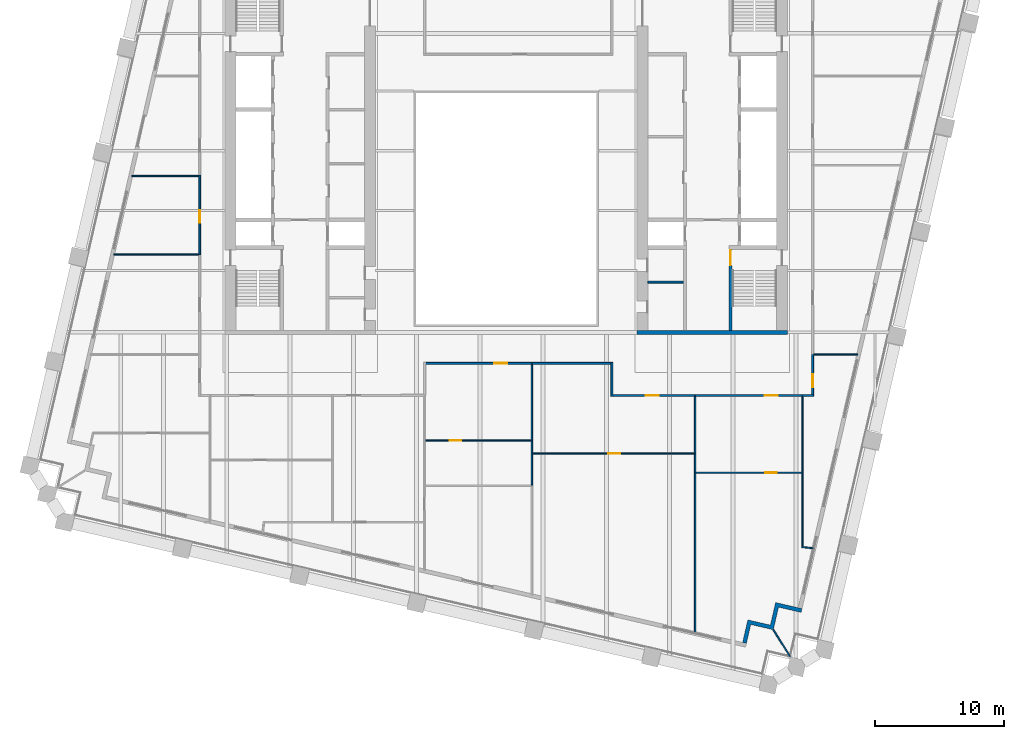
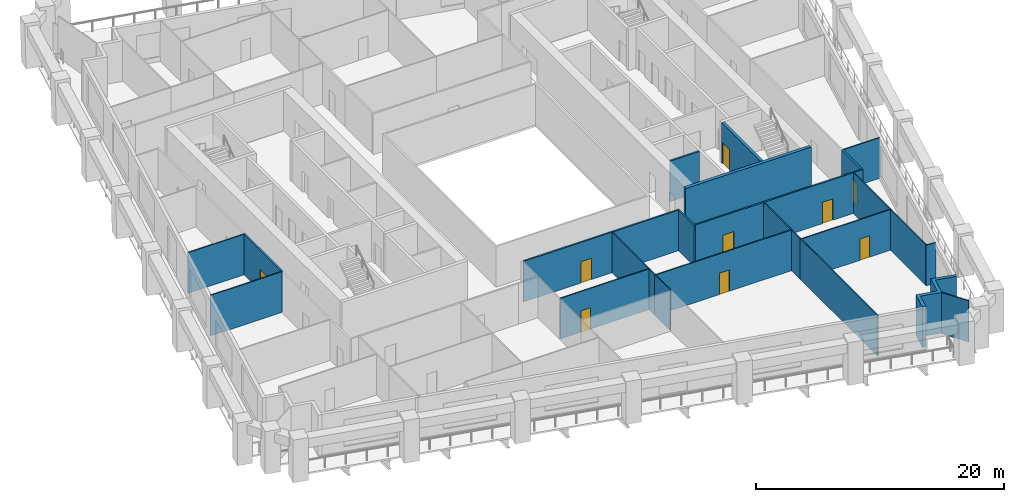
# One storey, part 5 of 12: 28 walls, 9 doors, 9 openings.
"""IFC4 building model written with IfcOpenShell, lengths in metres."""

from ifc_helpers import new_model, si_unit, direction, frame, frame_2d, origin, place, context, subcontext, project, spatial, polyline, rectangle, outline, extrude, material, layer, layer_set, type_object, element, fill, save


model = new_model("IFC4")

# Units and contexts
model_context = context("Model", 3, precision=1e-05, world=origin(), true_north=direction((0.0, 1.0)))
body_context = subcontext(model_context, "Body", "Model", "MODEL_VIEW")
ifc_project = project(units=[si_unit("LENGTHUNIT", "METRE"), si_unit("AREAUNIT", "SQUARE_METRE"), si_unit("VOLUMEUNIT", "CUBIC_METRE"), si_unit("PLANEANGLEUNIT", "RADIAN"), si_unit("MASSUNIT", "GRAM", prefix="KILO")], contexts=[model_context])

# Site, building, storey
site_placement = place(None, origin())
site = spatial("IfcSite", under=ifc_project, at=site_placement, CompositionType="ELEMENT")
building_placement = place(site_placement, origin())
building = spatial("IfcBuilding", under=site, at=building_placement, Name="Ogive Exchange Tower", CompositionType="ELEMENT")
storey_placement = place(building_placement, frame((0.0, 0.0, 139.199951171875)))
storey = spatial("IfcBuildingStorey", under=building, at=storey_placement, Name="L30", CompositionType="ELEMENT", Elevation=139.199951171875)

# Wall
ifc_material_1 = material(Name="Gypsum board partition")
ifc_layer_1 = layer(ifc_material_1, 0.14990234375)
ifc_layer_set_1 = layer_set([ifc_layer_1], Name="Core room partition 150 gypsum")
wall_type_1 = type_object("IfcWallType", Name="Core room partition 150 gypsum", PredefinedType="PARTITIONING", material=ifc_layer_set_1)
wall_1_placement = place(storey_placement, frame((11.0, 1.300048828125, 0.0), z_axis=(0.0, 0.0, 1.0), x_axis=(1.0, 0.0, 0.0)))
element("IfcWall", 1, at=wall_1_placement, inside=storey, type_object=wall_type_1, Name="E south room partition", PredefinedType="PARTITIONING", context=body_context, shape_type="SweptSolid", body=[
    extrude(rectangle(XDim=2.75, YDim=0.14990234375, at=frame_2d((1.375, 0.0))), origin(), (0.0, 0.0, 1.0), 4.0),
])

# Wall, opening, door
ifc_material_2 = material(Name="Fire partition EI 60 150")
ifc_layer_2 = layer(ifc_material_2, 0.14990234375)
ifc_layer_set_2 = layer_set([ifc_layer_2], Name="Fire partition EI 60 150")
wall_type_2 = type_object("IfcWallType", Name="Fire partition EI 60 150", PredefinedType="PARTITIONING", material=ifc_layer_set_2)
wall_2_placement = place(storey_placement, frame((-23.800048828125, 3.449951171875, 0.0), z_axis=(0.0, 0.0, 1.0), x_axis=(0.0, 1.0, 0.0)))
wall_2 = element("IfcWall", 2, at=wall_2_placement, inside=storey, type_object=wall_type_2, Name="L30-PWL-007", PredefinedType="PARTITIONING", context=body_context, shape_type="SweptSolid", body=[
    extrude(rectangle(XDim=6.150146484375, YDim=0.14990234375, at=frame_2d((3.0751953125, 0.0))), origin(), (0.0, 0.0, 1.0), 4.0),
])
opening_1_placement = place(wall_2_placement, frame((2.449951171875, 0.0, 0.0)))
opening_1 = element("IfcOpeningElement", 3, at=opening_1_placement, cuts=wall_2, Name="Opening L30-I25", PredefinedType="OPENING", context=body_context, shape_type="SweptSolid", body=[
    extrude(rectangle(XDim=1.0, YDim=2.10009765625, at=frame_2d((0.5, 1.050048828125))), frame((0.0, 0.0849609375, 0.0), z_axis=(0.0, -1.0, 0.0), x_axis=(1.0, 0.0, 0.0)), (0.0, 0.0, 1.0), 0.169921875),
])
ifc_material_3 = material(Name="Fire door FD 30S 1000 x 2100")
door_type_1 = type_object("IfcDoorType", Name="Fire door FD 30S 1000 x 2100", OperationType="NOTDEFINED", PredefinedType="DOOR", material=ifc_material_3)
door_1_placement = place(opening_1_placement, origin())
door_1 = element("IfcDoor", 4, at=door_1_placement, inside=storey, type_object=door_type_1, Name="L30-IDR-025", ObjectType="DT3", OperationType="SINGLE_SWING_RIGHT", OverallHeight=2.10009765625, OverallWidth=1.0, PredefinedType="DOOR", context=body_context, shape_type="SweptSolid", body=[
    extrude(rectangle(XDim=1.0, YDim=2.10009765625, at=frame_2d((0.5, 1.050048828125))), frame((0.0, 0.02490234375, 0.0), z_axis=(0.0, -1.0, 0.0), x_axis=(1.0, 0.0, 0.0)), (0.0, 0.0, 1.0), 0.050048828125),
])
fill(opening_1, door_1)

wall_3_placement = place(storey_placement, frame((2.0400390625, -5.0, 0.0), z_axis=(0.0, 0.0, 1.0), x_axis=(-1.0, 0.0, 0.0)))
wall_3 = element("IfcWall", 5, at=wall_3_placement, inside=storey, type_object=wall_type_2, Name="L30-PWL-055", PredefinedType="PARTITIONING", context=body_context, shape_type="SweptSolid", body=[
    extrude(rectangle(XDim=8.304931640625, YDim=0.14990234375, at=frame_2d((4.15234375, 0.0))), origin(), (0.0, 0.0, 1.0), 4.0),
])
opening_2_placement = place(wall_3_placement, frame((1.97998046875, 0.0, 0.0)))
opening_2 = element("IfcOpeningElement", 6, at=opening_2_placement, cuts=wall_3, Name="Opening L30-I01", PredefinedType="OPENING", context=body_context, shape_type="SweptSolid", body=[
    extrude(rectangle(XDim=1.0, YDim=2.10009765625, at=frame_2d((0.5, 1.050048828125))), frame((0.0, 0.0849609375, 0.0), z_axis=(0.0, -1.0, 0.0), x_axis=(1.0, 0.0, 0.0)), (0.0, 0.0, 1.0), 0.169921875),
])
door_2_placement = place(opening_2_placement, origin())
door_2 = element("IfcDoor", 7, at=door_2_placement, inside=storey, type_object=door_type_1, Name="L30-IDR-001", ObjectType="DT3", OperationType="SINGLE_SWING_RIGHT", OverallHeight=2.10009765625, OverallWidth=1.0, PredefinedType="DOOR", context=body_context, shape_type="SweptSolid", body=[
    extrude(rectangle(XDim=1.0, YDim=2.10009765625, at=frame_2d((0.5, 1.050048828125))), frame((0.0, 0.02490234375, 0.0), z_axis=(0.0, -1.0, 0.0), x_axis=(1.0, 0.0, 0.0)), (0.0, 0.0, 1.0), 0.050048828125),
])
fill(opening_2, door_2)

# Walls
wall_4_placement = place(storey_placement, frame((8.199951171875, -7.574951171875, 0.0), z_axis=(0.0, 0.0, 1.0), x_axis=(0.0, 1.0, 0.0)))
element("IfcWall", 8, at=wall_4_placement, inside=storey, type_object=wall_type_2, Name="L30-PWL-061", PredefinedType="PARTITIONING", context=body_context, shape_type="SweptSolid", body=[
    extrude(rectangle(XDim=2.64990234375, YDim=0.14990234375, at=frame_2d((1.324951171875, 0.0))), origin(), (0.0, 0.0, 1.0), 4.0),
])
wall_5_placement = place(storey_placement, frame((8.125, -5.0, 0.0), z_axis=(0.0, 0.0, 1.0), x_axis=(-1.0, 0.0, 0.0)))
element("IfcWall", 9, at=wall_5_placement, inside=storey, type_object=wall_type_2, Name="L30-PWL-062", PredefinedType="PARTITIONING", context=body_context, shape_type="SweptSolid", body=[
    extrude(rectangle(XDim=6.135009765625, YDim=0.14990234375, at=frame_2d((3.0673828125, 0.0))), origin(), (0.0, 0.0, 1.0), 4.0),
])

# Wall, opening, door
wall_6_placement = place(storey_placement, frame((14.669921875, -7.5, 0.0), z_axis=(0.0, 0.0, 1.0), x_axis=(-1.0, 0.0, 0.0)))
wall_6 = element("IfcWall", 10, at=wall_6_placement, inside=storey, type_object=wall_type_2, Name="L30-PWL-071", PredefinedType="PARTITIONING", context=body_context, shape_type="SweptSolid", body=[
    extrude(rectangle(XDim=6.39501953125, YDim=0.14990234375, at=frame_2d((3.197509765625, 0.0))), origin(), (0.0, 0.0, 1.0), 4.0),
])
opening_3_placement = place(wall_6_placement, frame((2.820068359375, 0.0, 0.0)))
opening_3 = element("IfcOpeningElement", 11, at=opening_3_placement, cuts=wall_6, Name="Opening L30-I04", PredefinedType="OPENING", context=body_context, shape_type="SweptSolid", body=[
    extrude(rectangle(XDim=1.0, YDim=2.10009765625, at=frame_2d((0.5, 1.050048828125))), frame((0.0, 0.0849609375, 0.0), z_axis=(0.0, -1.0, 0.0), x_axis=(1.0, 0.0, 0.0)), (0.0, 0.0, 1.0), 0.169921875),
])
door_3_placement = place(opening_3_placement, origin())
door_3 = element("IfcDoor", 12, at=door_3_placement, inside=storey, type_object=door_type_1, Name="L30-IDR-004", ObjectType="DT3", OperationType="SINGLE_SWING_RIGHT", OverallHeight=2.10009765625, OverallWidth=1.0, PredefinedType="DOOR", context=body_context, shape_type="SweptSolid", body=[
    extrude(rectangle(XDim=1.0, YDim=2.10009765625, at=frame_2d((0.5, 1.050048828125))), frame((0.0, 0.02490234375, 0.0), z_axis=(0.0, -1.0, 0.0), x_axis=(1.0, 0.0, 0.0)), (0.0, 0.0, 1.0), 0.050048828125),
])
fill(opening_3, door_3)

wall_7_placement = place(storey_placement, frame((23.06005859375, -7.5, 0.0), z_axis=(0.0, 0.0, 1.0), x_axis=(-1.0, 0.0, 0.0)))
wall_7 = element("IfcWall", 13, at=wall_7_placement, inside=storey, type_object=wall_type_2, Name="L30-PWL-076", PredefinedType="PARTITIONING", context=body_context, shape_type="SweptSolid", body=[
    extrude(rectangle(XDim=8.39013671875, YDim=0.14990234375, at=frame_2d((4.195068359375, 0.0))), origin(), (0.0, 0.0, 1.0), 4.0),
])
opening_4_placement = place(wall_7_placement, frame((1.989990234375, 0.0, 0.0)))
opening_4 = element("IfcOpeningElement", 14, at=opening_4_placement, cuts=wall_7, Name="Opening L30-I06", PredefinedType="OPENING", context=body_context, shape_type="SweptSolid", body=[
    extrude(rectangle(XDim=1.0, YDim=2.10009765625, at=frame_2d((0.5, 1.050048828125))), frame((0.0, 0.0849609375, 0.0), z_axis=(0.0, -1.0, 0.0), x_axis=(1.0, 0.0, 0.0)), (0.0, 0.0, 1.0), 0.169921875),
])
door_4_placement = place(opening_4_placement, origin())
door_4 = element("IfcDoor", 15, at=door_4_placement, inside=storey, type_object=door_type_1, Name="L30-IDR-006", ObjectType="DT3", OperationType="SINGLE_SWING_RIGHT", OverallHeight=2.10009765625, OverallWidth=1.0, PredefinedType="DOOR", context=body_context, shape_type="SweptSolid", body=[
    extrude(rectangle(XDim=1.0, YDim=2.10009765625, at=frame_2d((0.5, 1.050048828125))), frame((0.0, 0.02490234375, 0.0), z_axis=(0.0, -1.0, 0.0), x_axis=(1.0, 0.0, 0.0)), (0.0, 0.0, 1.0), 0.050048828125),
])
fill(opening_4, door_4)

# Wall
wall_8_placement = place(storey_placement, frame((23.875, -7.5, 0.0), z_axis=(0.0, 0.0, 1.0), x_axis=(-1.0, 0.0, 0.0)))
element("IfcWall", 16, at=wall_8_placement, inside=storey, type_object=wall_type_2, Name="L30-PWL-080", PredefinedType="PARTITIONING", context=body_context, shape_type="SweptSolid", body=[
    extrude(rectangle(XDim=0.864990234375, YDim=0.14990234375, at=frame_2d((0.4326171875, 0.0))), origin(), (0.0, 0.0, 1.0), 4.0),
])

# Wall, opening, door
wall_9_placement = place(storey_placement, frame((23.800048828125, -4.320068359375, 0.0), z_axis=(0.0, 0.0, 1.0), x_axis=(0.0, -1.0, 0.0)))
wall_9 = element("IfcWall", 17, at=wall_9_placement, inside=storey, type_object=wall_type_2, Name="L30-PWL-081", PredefinedType="PARTITIONING", context=body_context, shape_type="SweptSolid", body=[
    extrude(rectangle(XDim=3.10498046875, YDim=0.14990234375, at=frame_2d((1.552490234375, 0.0))), origin(), (0.0, 0.0, 1.0), 4.0),
])
opening_5_placement = place(wall_9_placement, frame((1.530029296875, 0.0, 0.0)))
opening_5 = element("IfcOpeningElement", 18, at=opening_5_placement, cuts=wall_9, Name="Opening L30-I08", PredefinedType="OPENING", context=body_context, shape_type="SweptSolid", body=[
    extrude(rectangle(XDim=1.0, YDim=2.10009765625, at=frame_2d((0.5, 1.050048828125))), frame((0.0, 0.0849609375, 0.0), z_axis=(0.0, -1.0, 0.0), x_axis=(1.0, 0.0, 0.0)), (0.0, 0.0, 1.0), 0.169921875),
])
door_5_placement = place(opening_5_placement, origin())
door_5 = element("IfcDoor", 19, at=door_5_placement, inside=storey, type_object=door_type_1, Name="L30-IDR-008", ObjectType="DT3", OperationType="SINGLE_SWING_RIGHT", OverallHeight=2.10009765625, OverallWidth=1.0, PredefinedType="DOOR", context=body_context, shape_type="SweptSolid", body=[
    extrude(rectangle(XDim=1.0, YDim=2.10009765625, at=frame_2d((0.5, 1.050048828125))), frame((0.0, 0.02490234375, 0.0), z_axis=(0.0, -1.0, 0.0), x_axis=(1.0, 0.0, 0.0)), (0.0, 0.0, 1.0), 0.050048828125),
])
fill(opening_5, door_5)

# Walls
ifc_material_4 = material(Name="Precast concrete C40/50", Category="concrete")
ifc_layer_3 = layer(ifc_material_4, 0.300048828125)
ifc_layer_set_3 = layer_set([ifc_layer_3], Name="Limestone-faced wall 300")
wall_type_3 = type_object("IfcWallType", Name="Limestone-faced wall 300", PredefinedType="STANDARD", material=ifc_layer_set_3)
wall_10_placement = place(storey_placement, origin())
element("IfcWall", 20, at=wall_10_placement, inside=storey, type_object=wall_type_3, Name="External corner wall C1", PredefinedType="STANDARD", context=body_context, shape_type="SweptSolid", body=[
    extrude(outline(polyline([(20.515380859375, -25.330810546875), (20.92041015625, -23.576904296875), (22.966552734375, -24.04931640625), (22.89892578125, -24.341552734375), (21.145263671875, -23.936767578125), (20.740234375, -25.690673828125), (18.986328125, -25.28564453125), (18.64892578125, -26.747314453125), (18.356689453125, -26.6796875), (18.76171875, -24.92578125), (20.515380859375, -25.330810546875)])), origin(), (0.0, 0.0, 1.0), 4.0),
])
ifc_material_5 = material(Name="Laminated safety glass in steel frame", Category="steel")
ifc_layer_4 = layer(ifc_material_5, 0.10009765625)
ifc_layer_set_4 = layer_set([ifc_layer_4], Name="Loggia end screen 100")
wall_type_4 = type_object("IfcWallType", Name="Loggia end screen 100", PredefinedType="STANDARD", material=ifc_layer_set_4)
wall_11_placement = place(storey_placement, frame((20.740234375, -25.690673828125, -0.050048828125), z_axis=(0.0, 0.0, 1.0), x_axis=(0.529972121605, -0.848015064914, 0.0)))
element("IfcWall", 21, at=wall_11_placement, inside=storey, type_object=wall_type_4, Name="Loggia end screen C1", PredefinedType="STANDARD", context=body_context, shape_type="SweptSolid", body=[
    extrude(rectangle(XDim=2.454833984375, YDim=0.10009765625, at=frame_2d((1.2275390625, 0.0))), origin(), (0.0, 0.0, 1.0), 4.050048828125),
])
ifc_material_6 = material(Name="Partition 100 gypsum")
ifc_layer_5 = layer(ifc_material_6, 0.10009765625)
ifc_layer_set_5 = layer_set([ifc_layer_5], Name="Partition 100 gypsum")
wall_type_5 = type_object("IfcWallType", Name="Partition 100 gypsum", PredefinedType="PARTITIONING", material=ifc_layer_set_5)
wall_12_placement = place(storey_placement, frame((-23.875, 3.449951171875, 0.0), z_axis=(0.0, 0.0, 1.0), x_axis=(-1.0, 0.0, 0.0)))
element("IfcWall", 22, at=wall_12_placement, inside=storey, type_object=wall_type_5, Name="L30-PWL-006", PredefinedType="PARTITIONING", context=body_context, shape_type="SweptSolid", body=[
    extrude(rectangle(XDim=6.623046875, YDim=0.10009765625, at=frame_2d((3.3115234375, 0.0))), origin(), (0.0, 0.0, 1.0), 4.0),
])
wall_13_placement = place(storey_placement, frame((-23.875, 9.550048828125, 0.0), z_axis=(0.0, 0.0, 1.0), x_axis=(-1.0, 0.0, 0.0)))
element("IfcWall", 23, at=wall_13_placement, inside=storey, type_object=wall_type_5, Name="L30-PWL-008", PredefinedType="PARTITIONING", context=body_context, shape_type="SweptSolid", body=[
    extrude(rectangle(XDim=5.215087890625, YDim=0.10009765625, at=frame_2d((2.607421875, 0.0))), origin(), (0.0, 0.0, 1.0), 4.0),
])
wall_14_placement = place(storey_placement, frame((1.989990234375, -11.949951171875, 0.0), z_axis=(0.0, 0.0, 1.0), x_axis=(0.0, -1.0, 0.0)))
element("IfcWall", 24, at=wall_14_placement, inside=storey, type_object=wall_type_5, Name="L30-PWL-052", PredefinedType="PARTITIONING", context=body_context, shape_type="SweptSolid", body=[
    extrude(rectangle(XDim=2.5, YDim=0.10009765625, at=frame_2d((1.25, 0.0))), origin(), (0.0, 0.0, 1.0), 4.0),
])

# Wall, opening, door
wall_15_placement = place(storey_placement, frame((2.0400390625, -11.0, 0.0), z_axis=(0.0, 0.0, 1.0), x_axis=(-1.0, 0.0, 0.0)))
wall_15 = element("IfcWall", 25, at=wall_15_placement, inside=storey, type_object=wall_type_5, Name="L30-PWL-053", PredefinedType="PARTITIONING", context=body_context, shape_type="SweptSolid", body=[
    extrude(rectangle(XDim=8.330078125, YDim=0.10009765625, at=frame_2d((4.1650390625, 0.0))), origin(), (0.0, 0.0, 1.0), 4.0),
])
opening_6_placement = place(wall_15_placement, frame((5.530029296875, 0.0, 0.0)))
opening_6 = element("IfcOpeningElement", 26, at=opening_6_placement, cuts=wall_15, Name="Opening L30-I02", PredefinedType="OPENING", context=body_context, shape_type="SweptSolid", body=[
    extrude(rectangle(XDim=0.89990234375, YDim=2.10009765625, at=frame_2d((0.449951171875, 1.050048828125))), frame((0.0, 0.06005859375, 0.0), z_axis=(0.0, -1.0, 0.0), x_axis=(1.0, 0.0, 0.0)), (0.0, 0.0, 1.0), 0.1201171875),
])
ifc_material_7 = material(Name="Door 900 x 2100")
door_type_2 = type_object("IfcDoorType", Name="Door 900 x 2100", OperationType="NOTDEFINED", PredefinedType="DOOR", material=ifc_material_7)
door_6_placement = place(opening_6_placement, origin())
door_6 = element("IfcDoor", 27, at=door_6_placement, inside=storey, type_object=door_type_2, Name="L30-IDR-002", ObjectType="DT1", OperationType="SINGLE_SWING_LEFT", OverallHeight=2.10009765625, OverallWidth=0.89990234375, PredefinedType="DOOR", context=body_context, shape_type="SweptSolid", body=[
    extrude(rectangle(XDim=0.89990234375, YDim=2.10009765625, at=frame_2d((0.449951171875, 1.050048828125))), frame((0.0, 0.02490234375, 0.0), z_axis=(0.0, -1.0, 0.0), x_axis=(1.0, 0.0, 0.0)), (0.0, 0.0, 1.0), 0.050048828125),
])
fill(opening_6, door_6)

# Walls
wall_16_placement = place(storey_placement, frame((1.989990234375, -11.050048828125, 0.0), z_axis=(0.0, 0.0, 1.0), x_axis=(0.0, -1.0, 0.0)))
element("IfcWall", 28, at=wall_16_placement, inside=storey, type_object=wall_type_5, Name="L30-PWL-054", PredefinedType="PARTITIONING", context=body_context, shape_type="SweptSolid", body=[
    extrude(rectangle(XDim=0.89990234375, YDim=0.10009765625, at=frame_2d((0.449951171875, 0.0))), origin(), (0.0, 0.0, 1.0), 4.0),
])
wall_17_placement = place(storey_placement, frame((1.989990234375, -5.074951171875, 0.0), z_axis=(0.0, 0.0, 1.0), x_axis=(0.0, -1.0, 0.0)))
element("IfcWall", 29, at=wall_17_placement, inside=storey, type_object=wall_type_5, Name="L30-PWL-056", PredefinedType="PARTITIONING", context=body_context, shape_type="SweptSolid", body=[
    extrude(rectangle(XDim=5.875, YDim=0.10009765625, at=frame_2d((2.9375, 0.0))), origin(), (0.0, 0.0, 1.0), 4.0),
])
wall_18_placement = place(storey_placement, frame((14.669921875, -13.449951171875, 0.0), z_axis=(0.0, 0.0, 1.0), x_axis=(0.0, -1.0, 0.0)))
element("IfcWall", 30, at=wall_18_placement, inside=storey, type_object=wall_type_5, Name="L30-PWL-068", PredefinedType="PARTITIONING", context=body_context, shape_type="SweptSolid", body=[
    extrude(rectangle(XDim=12.4609375, YDim=0.10009765625, at=frame_2d((6.23046875, 0.0))), origin(), (0.0, 0.0, 1.0), 4.0),
])

# Wall, opening, door
wall_19_placement = place(storey_placement, frame((14.719970703125, -12.0, 0.0), z_axis=(0.0, 0.0, 1.0), x_axis=(-1.0, 0.0, 0.0)))
wall_19 = element("IfcWall", 31, at=wall_19_placement, inside=storey, type_object=wall_type_5, Name="L30-PWL-069", PredefinedType="PARTITIONING", context=body_context, shape_type="SweptSolid", body=[
    extrude(rectangle(XDim=12.679931640625, YDim=0.10009765625, at=frame_2d((6.33984375, 0.0))), origin(), (0.0, 0.0, 1.0), 4.0),
])
opening_7_placement = place(wall_19_placement, frame((5.8798828125, 0.0, 0.0)))
opening_7 = element("IfcOpeningElement", 32, at=opening_7_placement, cuts=wall_19, Name="Opening L30-I05", PredefinedType="OPENING", context=body_context, shape_type="SweptSolid", body=[
    extrude(rectangle(XDim=0.89990234375, YDim=2.10009765625, at=frame_2d((0.449951171875, 1.050048828125))), frame((0.0, 0.06005859375, 0.0), z_axis=(0.0, -1.0, 0.0), x_axis=(1.0, 0.0, 0.0)), (0.0, 0.0, 1.0), 0.1201171875),
])
door_7_placement = place(opening_7_placement, frame((0.89990234375, 0.0, 0.0), z_axis=(0.0, 0.0, 1.0), x_axis=(-1.0, 0.0, 0.0)))
door_7 = element("IfcDoor", 33, at=door_7_placement, inside=storey, type_object=door_type_2, Name="L30-IDR-005", ObjectType="DT1", OperationType="SINGLE_SWING_LEFT", OverallHeight=2.10009765625, OverallWidth=0.89990234375, PredefinedType="DOOR", context=body_context, shape_type="SweptSolid", body=[
    extrude(rectangle(XDim=0.89990234375, YDim=2.10009765625, at=frame_2d((0.449951171875, 1.050048828125))), frame((0.0, 0.02490234375, 0.0), z_axis=(0.0, -1.0, 0.0), x_axis=(1.0, 0.0, 0.0)), (0.0, 0.0, 1.0), 0.050048828125),
])
fill(opening_7, door_7)

# Walls
wall_20_placement = place(storey_placement, frame((14.669921875, -12.050048828125, 0.0), z_axis=(0.0, 0.0, 1.0), x_axis=(0.0, -1.0, 0.0)))
element("IfcWall", 34, at=wall_20_placement, inside=storey, type_object=wall_type_5, Name="L30-PWL-070", PredefinedType="PARTITIONING", context=body_context, shape_type="SweptSolid", body=[
    extrude(rectangle(XDim=1.39990234375, YDim=0.10009765625, at=frame_2d((0.699951171875, 0.0))), origin(), (0.0, 0.0, 1.0), 4.0),
])
wall_21_placement = place(storey_placement, frame((14.669921875, -7.574951171875, 0.0), z_axis=(0.0, 0.0, 1.0), x_axis=(0.0, -1.0, 0.0)))
element("IfcWall", 35, at=wall_21_placement, inside=storey, type_object=wall_type_5, Name="L30-PWL-072", PredefinedType="PARTITIONING", context=body_context, shape_type="SweptSolid", body=[
    extrude(rectangle(XDim=4.375, YDim=0.10009765625, at=frame_2d((2.1875, 0.0))), origin(), (0.0, 0.0, 1.0), 4.0),
])
wall_22_placement = place(storey_placement, frame((22.9599609375, -19.263916015625, 0.0), z_axis=(0.0, 0.0, 1.0), x_axis=(0.993326131588, -0.115339482852, 0.0)))
element("IfcWall", 36, at=wall_22_placement, inside=storey, type_object=wall_type_5, Name="L30-PWL-073", PredefinedType="PARTITIONING", context=body_context, shape_type="SweptSolid", body=[
    extrude(rectangle(XDim=0.867919921875, YDim=0.10009765625, at=frame_2d((0.43408203125, 0.0))), origin(), (0.0, 0.0, 1.0), 4.0),
])

# Wall, opening, door
wall_23_placement = place(storey_placement, frame((23.06005859375, -13.5, 0.0), z_axis=(0.0, 0.0, 1.0), x_axis=(-1.0, 0.0, 0.0)))
wall_23 = element("IfcWall", 37, at=wall_23_placement, inside=storey, type_object=wall_type_5, Name="L30-PWL-074", PredefinedType="PARTITIONING", context=body_context, shape_type="SweptSolid", body=[
    extrude(rectangle(XDim=8.340087890625, YDim=0.10009765625, at=frame_2d((4.169921875, 0.0))), origin(), (0.0, 0.0, 1.0), 4.0),
])
opening_8_placement = place(wall_23_placement, frame((2.0400390625, 0.0, 0.0)))
opening_8 = element("IfcOpeningElement", 38, at=opening_8_placement, cuts=wall_23, Name="Opening L30-I07", PredefinedType="OPENING", context=body_context, shape_type="SweptSolid", body=[
    extrude(rectangle(XDim=0.89990234375, YDim=2.10009765625, at=frame_2d((0.449951171875, 1.050048828125))), frame((0.0, 0.06005859375, 0.0), z_axis=(0.0, -1.0, 0.0), x_axis=(1.0, 0.0, 0.0)), (0.0, 0.0, 1.0), 0.1201171875),
])
door_8_placement = place(opening_8_placement, frame((0.89990234375, 0.0, 0.0), z_axis=(0.0, 0.0, 1.0), x_axis=(-1.0, 0.0, 0.0)))
door_8 = element("IfcDoor", 39, at=door_8_placement, inside=storey, type_object=door_type_2, Name="L30-IDR-007", ObjectType="DT1", OperationType="SINGLE_SWING_LEFT", OverallHeight=2.10009765625, OverallWidth=0.89990234375, PredefinedType="DOOR", context=body_context, shape_type="SweptSolid", body=[
    extrude(rectangle(XDim=0.89990234375, YDim=2.10009765625, at=frame_2d((0.449951171875, 1.050048828125))), frame((0.0, 0.02490234375, 0.0), z_axis=(0.0, -1.0, 0.0), x_axis=(1.0, 0.0, 0.0)), (0.0, 0.0, 1.0), 0.050048828125),
])
fill(opening_8, door_8)

# Walls
wall_24_placement = place(storey_placement, frame((23.010009765625, -13.550048828125, 0.0), z_axis=(0.0, 0.0, 1.0), x_axis=(0.0, -1.0, 0.0)))
element("IfcWall", 40, at=wall_24_placement, inside=storey, type_object=wall_type_5, Name="L30-PWL-075", PredefinedType="PARTITIONING", context=body_context, shape_type="SweptSolid", body=[
    extrude(rectangle(XDim=5.669921875, YDim=0.10009765625, at=frame_2d((2.8349609375, 0.0))), origin(), (0.0, 0.0, 1.0), 4.0),
])
wall_25_placement = place(storey_placement, frame((23.010009765625, -7.574951171875, 0.0), z_axis=(0.0, 0.0, 1.0), x_axis=(0.0, -1.0, 0.0)))
element("IfcWall", 41, at=wall_25_placement, inside=storey, type_object=wall_type_5, Name="L30-PWL-077", PredefinedType="PARTITIONING", context=body_context, shape_type="SweptSolid", body=[
    extrude(rectangle(XDim=5.875, YDim=0.10009765625, at=frame_2d((2.9375, 0.0))), origin(), (0.0, 0.0, 1.0), 4.0),
])
wall_26_placement = place(storey_placement, frame((23.875, -4.320068359375, 0.0), z_axis=(0.0, 0.0, 1.0), x_axis=(1.0, 0.0, 0.0)))
element("IfcWall", 42, at=wall_26_placement, inside=storey, type_object=wall_type_5, Name="L30-PWL-082", PredefinedType="PARTITIONING", context=body_context, shape_type="SweptSolid", body=[
    extrude(rectangle(XDim=3.4208984375, YDim=0.10009765625, at=frame_2d((1.71044921875, 0.0))), origin(), (0.0, 0.0, 1.0), 4.0),
])

# Wall, opening, door
ifc_material_8 = material(Name="Concrete C70/85", Category="concrete")
ifc_layer_6 = layer(ifc_material_8, 0.25)
ifc_layer_set_6 = layer_set([ifc_layer_6], Name="RC core wall 250 C70/85")
wall_type_6 = type_object("IfcWallType", Name="RC core wall 250 C70/85", PredefinedType="SHEAR", material=ifc_layer_set_6)
wall_27_placement = place(storey_placement, frame((17.425048828125, -2.449951171875, 0.0), z_axis=(0.0, 0.0, 1.0), x_axis=(0.0, 1.0, 0.0)))
wall_27 = element("IfcWall", 43, at=wall_27_placement, inside=storey, type_object=wall_type_6, Name="E stair S front wall", PredefinedType="SHEAR", context=body_context, shape_type="SweptSolid", body=[
    extrude(rectangle(XDim=6.300048828125, YDim=0.25, at=frame_2d((3.14990234375, 0.0))), origin(), (0.0, 0.0, 1.0), 4.0),
])
opening_9_placement = place(wall_27_placement, frame((5.050048828125, 0.0, 0.0)))
opening_9 = element("IfcOpeningElement", 44, at=opening_9_placement, cuts=wall_27, Name="Opening L30-C32", PredefinedType="OPENING", context=body_context, shape_type="SweptSolid", body=[
    extrude(rectangle(XDim=1.199951171875, YDim=2.10009765625, at=frame_2d((0.60009765625, 1.050048828125))), frame((0.0, 0.135009765625, 0.0), z_axis=(0.0, -1.0, 0.0), x_axis=(1.0, 0.0, 0.0)), (0.0, 0.0, 1.0), 0.27001953125),
])
ifc_material_9 = material(Name="Steel fire door", Category="steel")
door_type_3 = type_object("IfcDoorType", Name="Stair door FD90 1200 x 2100", OperationType="NOTDEFINED", PredefinedType="DOOR", material=ifc_material_9)
door_9_placement = place(opening_9_placement, frame((1.199951171875, 0.0, 0.0), z_axis=(0.0, 0.0, 1.0), x_axis=(-1.0, 0.0, 0.0)))
door_9 = element("IfcDoor", 45, at=door_9_placement, inside=storey, type_object=door_type_3, Name="Stair door", ObjectType="CD5", OperationType="SINGLE_SWING_RIGHT", OverallHeight=2.10009765625, OverallWidth=1.199951171875, PredefinedType="DOOR", context=body_context, shape_type="SweptSolid", body=[
    extrude(rectangle(XDim=1.199951171875, YDim=2.10009765625, at=frame_2d((0.60009765625, 1.050048828125))), frame((0.0, 0.02490234375, 0.0), z_axis=(0.0, -1.0, 0.0), x_axis=(1.0, 0.0, 0.0)), (0.0, 0.0, 1.0), 0.050048828125),
])
fill(opening_9, door_9)

# Wall
ifc_layer_7 = layer(ifc_material_8, 0.300048828125)
ifc_layer_set_7 = layer_set([ifc_layer_7], Name="RC core wall 300 C70/85")
wall_type_7 = type_object("IfcWallType", Name="RC core wall 300 C70/85", PredefinedType="SHEAR", material=ifc_layer_set_7)
wall_28_placement = place(storey_placement, frame((10.14990234375, -2.60009765625, 0.0), z_axis=(0.0, 0.0, 1.0), x_axis=(1.0, 0.0, 0.0)))
element("IfcWall", 46, at=wall_28_placement, inside=storey, type_object=wall_type_7, Name="E south end wall", PredefinedType="SHEAR", context=body_context, shape_type="SweptSolid", body=[
    extrude(rectangle(XDim=11.7001953125, YDim=0.300048828125, at=frame_2d((5.85009765625, 0.0))), origin(), (0.0, 0.0, 1.0), 4.0),
])

save(model, "model.ifc")
